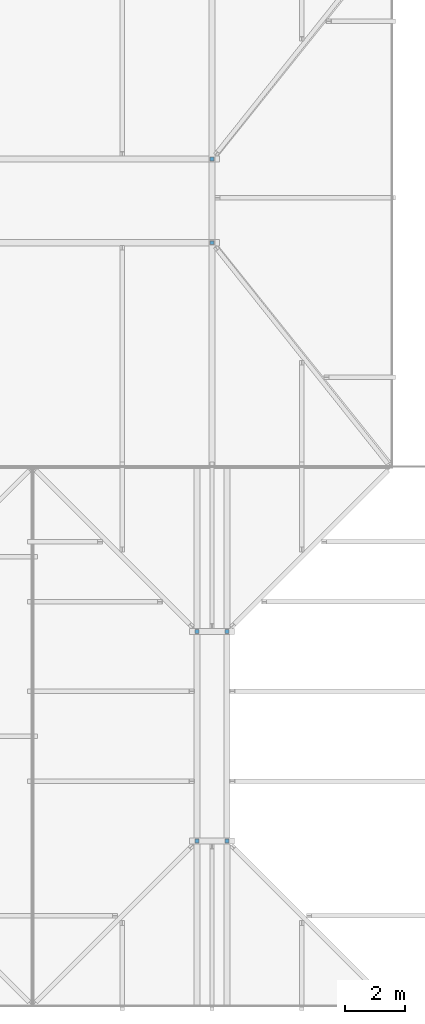
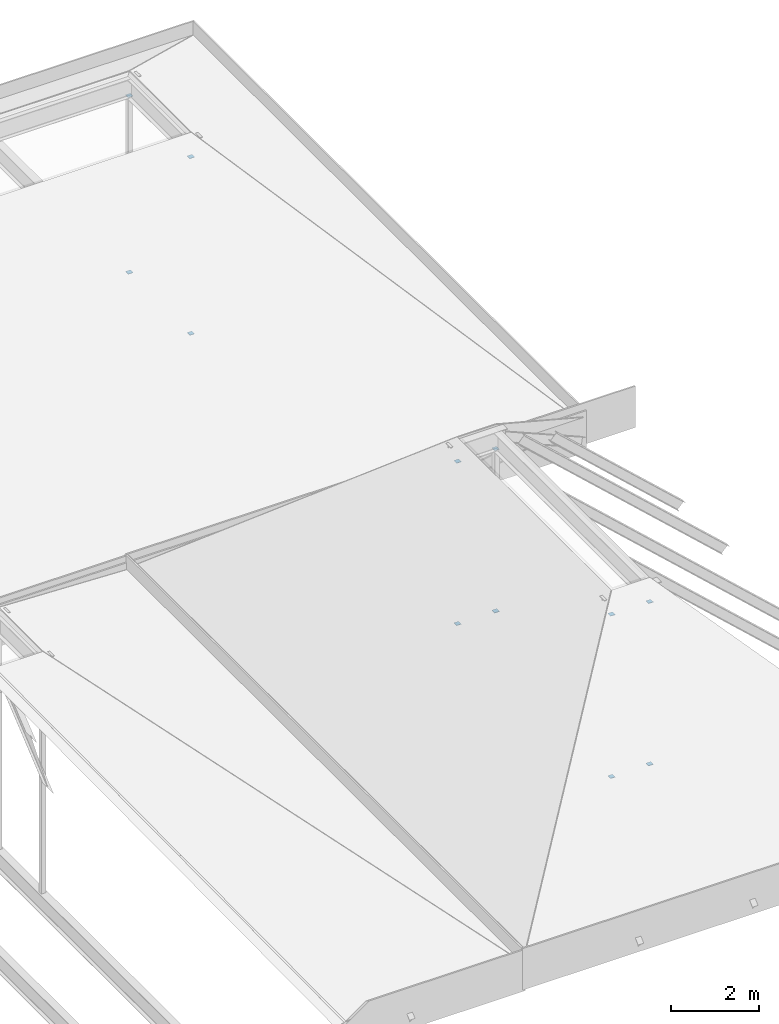
# One storey, part 55 of 57: 12 discrete accessories.
"""IFC4 building model written with IfcOpenShell, lengths in metres."""

from ifc_helpers import new_model, si_unit, direction, frame, origin, origin_2d, place, context, subcontext, project, spatial, rectangle, extrude, material, material_profile, profile_set, type_object, element, save


model = new_model("IFC4")

# Units and contexts
model_context = context("Model", 3, precision=1e-05, world=origin(), true_north=direction((0.0, 1.0)))
body_context = subcontext(model_context, "Body", "Model", "MODEL_VIEW")
ifc_project = project(units=[si_unit("LENGTHUNIT", "METRE"), si_unit("AREAUNIT", "SQUARE_METRE"), si_unit("VOLUMEUNIT", "CUBIC_METRE"), si_unit("PLANEANGLEUNIT", "RADIAN"), si_unit("MASSUNIT", "GRAM", prefix="KILO")], contexts=[model_context])

# Site, building, storey
site_placement = place(None, origin())
site = spatial("IfcSite", under=ifc_project, at=site_placement, CompositionType="ELEMENT")
building_placement = place(site_placement, origin())
building = spatial("IfcBuilding", under=site, at=building_placement, Name="Saffron Lane Theatres", CompositionType="ELEMENT")
storey_placement = place(building_placement, frame((0.0, 0.0, 28.0)))
storey = spatial("IfcBuildingStorey", under=building, at=storey_placement, Name="Upper Roof", CompositionType="ELEMENT", Elevation=28.0)

# Discrete accessories
ifc_material = material(Name="Steel Grade 350", Category="steel")
ifc_material_profile = material_profile(ifc_material, rectangle(XDim=0.125, YDim=0.125, at=origin_2d()))
ifc_profile_set = profile_set([ifc_material_profile], Name="Steel Grade 350")
discrete_accessory_type = type_object("IfcDiscreteAccessoryType", Name="ST-STEEL END CAP 125x125x6 SHS", PredefinedType="ANCHORPLATE", material=ifc_profile_set)
for number, where, z_axis, x_axis, name in (
    (1, (47.5, 95.5, 0.52099609375), (0.0, 0.0, 1.0), (1.0, 0.0, 0.0), "EC309"),
    (2, (47.5, 95.5, 5.028076171875), (0.0, 0.0, 1.0), (1.0, 0.0, 0.0), "EC310"),
    (3, (47.5, 102.5, 0.52099609375), (0.0, 0.0, 1.0), (1.0, 0.0, 0.0), "EC311"),
    (4, (47.5, 102.5, 5.028076171875), (0.0, 0.0, 1.0), (1.0, 0.0, 0.0), "EC312"),
    (5, (48.5, 95.5, 0.52099609375), (0.0, 0.0, 1.0), (1.0, 0.0, 0.0), "EC313"),
    (6, (48.5, 95.5, 5.028076171875), (0.0, 0.0, 1.0), (1.0, 0.0, 0.0), "EC314"),
    (7, (48.5, 102.5, 0.52099609375), (0.0, 0.0, 1.0), (1.0, 0.0, 0.0), "EC315"),
    (8, (48.5, 102.5, 5.028076171875), (0.0, 0.0, 1.0), (1.0, 0.0, 0.0), "EC316"),
    (9, (48.0, 115.5, 0.52099609375), (0.0, 0.0, 1.0), (1.0, 0.0, 0.0), "EC321"),
    (10, (48.0, 115.5, 5.426513671875), (0.0, 0.0, 1.0), (1.0, 0.0, 0.0), "EC322"),
    (11, (48.0, 118.300048828125, 0.52099609375), (0.0, 0.0, 1.0), (1.0, 0.0, 0.0), "EC323"),
    (12, (48.0, 118.300048828125, 5.426513671875), (0.0, 0.0, 1.0), (1.0, 0.0, 0.0), "EC324"),
):
    element("IfcDiscreteAccessory", number, at=place(storey_placement, frame(where, z_axis=z_axis, x_axis=x_axis)), inside=storey, type_object=discrete_accessory_type, Name=name, PredefinedType="ANCHORPLATE", context=body_context, shape_type="SweptSolid", body=[
        extrude(rectangle(XDim=0.125, YDim=0.125, at=origin_2d()), origin(), (0.0, 0.0, 1.0), 0.011962890625),
    ])

save(model, "model.ifc")
